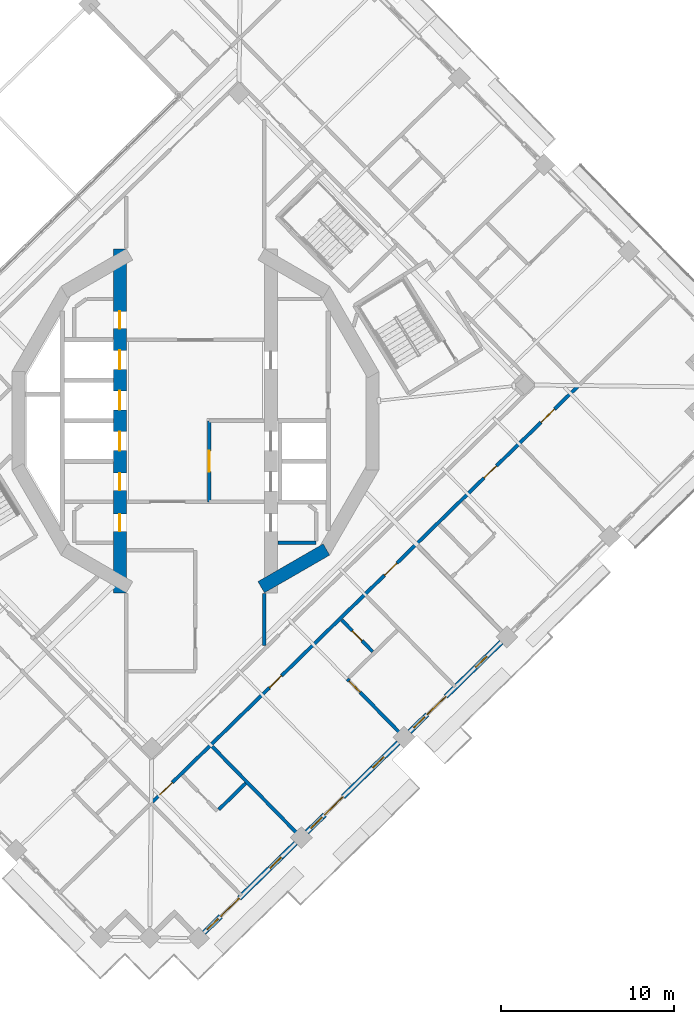
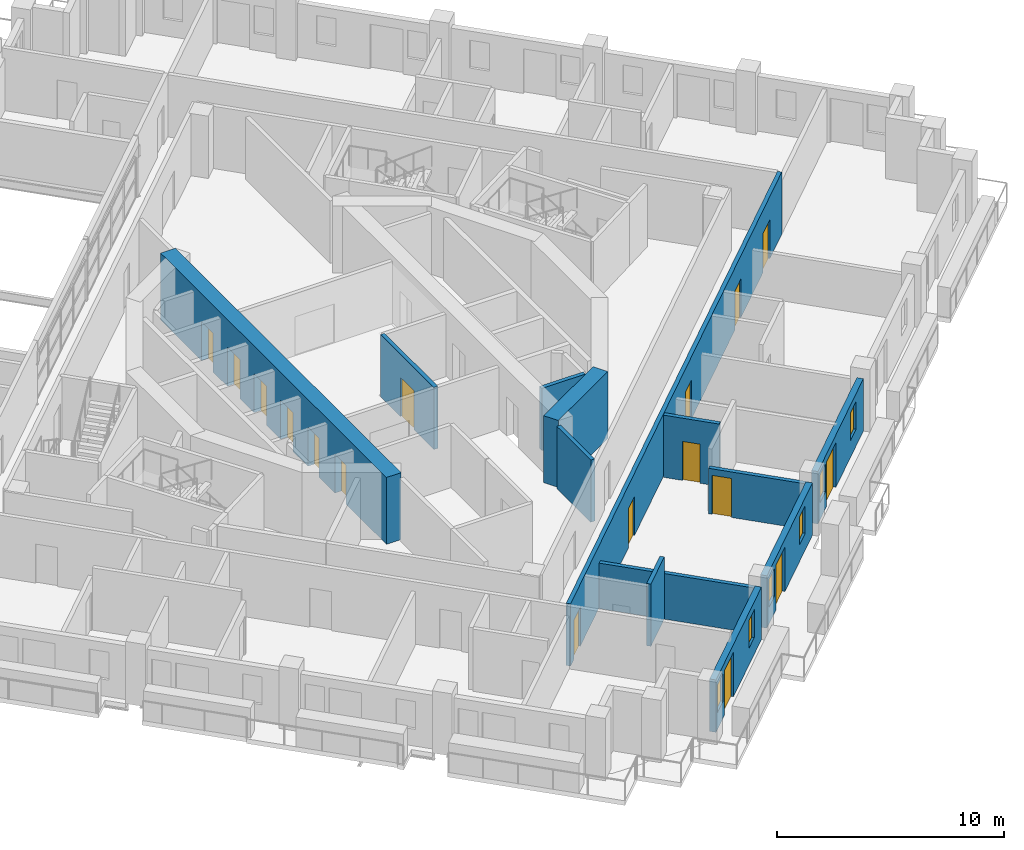
# One storey, part 7 of 18: 17 doors, 13 walls, 6 windows, 23 openings.
"""IFC4 building model written with IfcOpenShell, lengths in metres."""

from ifc_helpers import new_model, si_unit, direction, frame, frame_2d, origin, place, context, subcontext, project, spatial, rectangle, extrude, material, layer, layer_set, type_object, element, fill, save


model = new_model("IFC4")

# Units and contexts
model_context = context("Model", 3, precision=1e-05, world=origin(), true_north=direction((0.0, 1.0)))
body_context = subcontext(model_context, "Body", "Model", "MODEL_VIEW")
ifc_project = project(units=[si_unit("LENGTHUNIT", "METRE"), si_unit("AREAUNIT", "SQUARE_METRE"), si_unit("VOLUMEUNIT", "CUBIC_METRE"), si_unit("PLANEANGLEUNIT", "RADIAN"), si_unit("MASSUNIT", "GRAM", prefix="KILO")], contexts=[model_context])

# Site, building, storey
site_placement = place(None, origin())
site = spatial("IfcSite", under=ifc_project, at=site_placement, CompositionType="ELEMENT")
building_placement = place(site_placement, origin())
building = spatial("IfcBuilding", under=site, at=building_placement, Name="Cantera Rosa Tower", CompositionType="ELEMENT")
storey_placement = place(building_placement, frame((0.0, 0.0, 219.800048828125)))
storey = spatial("IfcBuildingStorey", under=building, at=storey_placement, Name="L47", CompositionType="ELEMENT", Elevation=219.800048828125)

# Wall, openings, doors
ifc_material_1 = material(Name="Gypsum board partition")
ifc_layer_1 = layer(ifc_material_1, 0.199951171875)
ifc_layer_set_1 = layer_set([ifc_layer_1], Name="CORRIDOR WALL 200 H3350")
wall_type_1 = type_object("IfcWallType", Name="CORRIDOR WALL 200 H3350", PredefinedType="PARTITIONING", material=ifc_layer_set_1)
wall_1_placement = place(storey_placement, frame((-2.469970703125, -22.0556640625, 0.0), z_axis=(0.0, 0.0, 1.0), x_axis=(0.715286619748, 0.698831203946, 0.0)))
wall_1 = element("IfcWall", 1, at=wall_1_placement, inside=storey, type_object=wall_type_1, Name="CORRIDOR WALL L47-058", PredefinedType="PARTITIONING", context=body_context, shape_type="SweptSolid", body=[
    extrude(rectangle(XDim=34.47998046875, YDim=0.199951171875, at=frame_2d((17.239990234375, 0.0))), origin(), (0.0, 0.0, 1.0), 3.349853515625),
])
opening_1_placement = place(wall_1_placement, frame((26.824951171875, 0.0, 0.0)))
opening_1 = element("IfcOpeningElement", 2, at=opening_1_placement, cuts=wall_1, Name="Opening L47-046", PredefinedType="OPENING", context=body_context, shape_type="SweptSolid", body=[
    extrude(rectangle(XDim=1.0, YDim=2.10009765625, at=frame_2d((0.5, 1.050048828125))), frame((0.0, 0.10986328125, 0.0), z_axis=(0.0, -1.0, 0.0), x_axis=(1.0, 0.0, 0.0)), (0.0, 0.0, 1.0), 0.219970703125),
])
opening_2_placement = place(wall_1_placement, frame((9.43994140625, 0.0, 0.0)))
opening_2 = element("IfcOpeningElement", 3, at=opening_2_placement, cuts=wall_1, Name="Opening L47-049", PredefinedType="OPENING", context=body_context, shape_type="SweptSolid", body=[
    extrude(rectangle(XDim=1.0, YDim=2.10009765625, at=frame_2d((0.5, 1.050048828125))), frame((0.0, 0.10986328125, 0.0), z_axis=(0.0, -1.0, 0.0), x_axis=(1.0, 0.0, 0.0)), (0.0, 0.0, 1.0), 0.219970703125),
])
opening_3_placement = place(wall_1_placement, frame((18.760009765625, 0.0, 0.0)))
opening_3 = element("IfcOpeningElement", 4, at=opening_3_placement, cuts=wall_1, Name="Opening L47-052", PredefinedType="OPENING", context=body_context, shape_type="SweptSolid", body=[
    extrude(rectangle(XDim=1.0, YDim=2.10009765625, at=frame_2d((0.5, 1.050048828125))), frame((0.0, 0.10986328125, 0.0), z_axis=(0.0, -1.0, 0.0), x_axis=(1.0, 0.0, 0.0)), (0.0, 0.0, 1.0), 0.219970703125),
])
opening_4_placement = place(wall_1_placement, frame((0.590087890625, 0.0, 0.0)))
opening_4 = element("IfcOpeningElement", 5, at=opening_4_placement, cuts=wall_1, Name="Opening L47-053", PredefinedType="OPENING", context=body_context, shape_type="SweptSolid", body=[
    extrude(rectangle(XDim=1.0, YDim=2.10009765625, at=frame_2d((0.5, 1.050048828125))), frame((0.0, 0.10986328125, 0.0), z_axis=(0.0, -1.0, 0.0), x_axis=(1.0, 0.0, 0.0)), (0.0, 0.0, 1.0), 0.219970703125),
])
opening_5_placement = place(wall_1_placement, frame((31.429931640625, 0.0, 0.0)))
opening_5 = element("IfcOpeningElement", 6, at=opening_5_placement, cuts=wall_1, Name="Opening L47-056", PredefinedType="OPENING", context=body_context, shape_type="SweptSolid", body=[
    extrude(rectangle(XDim=1.10009765625, YDim=2.10009765625, at=frame_2d((0.550048828125, 1.050048828125))), frame((0.0, 0.10986328125, 0.0), z_axis=(0.0, -1.0, 0.0), x_axis=(1.0, 0.0, 0.0)), (0.0, 0.0, 1.0), 0.219970703125),
])
ifc_material_2 = material(Name="Timber door leaf", Category="wood")
door_type_1 = type_object("IfcDoorType", Name="ENTRANCE DOOR 1000x2100", OperationType="NOTDEFINED", PredefinedType="DOOR", material=ifc_material_2)
door_1_placement = place(opening_1_placement, origin())
door_1 = element("IfcDoor", 7, at=door_1_placement, inside=storey, type_object=door_type_1, Name="DOOR L47-046", OperationType="NOTDEFINED", OverallHeight=2.10009765625, OverallWidth=1.0, PredefinedType="DOOR", context=body_context, shape_type="SweptSolid", body=[
    extrude(rectangle(XDim=1.0, YDim=2.10009765625, at=frame_2d((0.5, 1.050048828125))), frame((0.0, 0.02490234375, 0.0), z_axis=(0.0, -1.0, 0.0), x_axis=(1.0, 0.0, 0.0)), (0.0, 0.0, 1.0), 0.050048828125),
])
fill(opening_1, door_1)
door_2_placement = place(opening_2_placement, origin())
door_2 = element("IfcDoor", 8, at=door_2_placement, inside=storey, type_object=door_type_1, Name="DOOR L47-049", OperationType="NOTDEFINED", OverallHeight=2.10009765625, OverallWidth=1.0, PredefinedType="DOOR", context=body_context, shape_type="SweptSolid", body=[
    extrude(rectangle(XDim=1.0, YDim=2.10009765625, at=frame_2d((0.5, 1.050048828125))), frame((0.0, 0.02490234375, 0.0), z_axis=(0.0, -1.0, 0.0), x_axis=(1.0, 0.0, 0.0)), (0.0, 0.0, 1.0), 0.050048828125),
])
fill(opening_2, door_2)
door_3_placement = place(opening_4_placement, origin())
door_3 = element("IfcDoor", 9, at=door_3_placement, inside=storey, type_object=door_type_1, Name="DOOR L47-053", OperationType="NOTDEFINED", OverallHeight=2.10009765625, OverallWidth=1.0, PredefinedType="DOOR", context=body_context, shape_type="SweptSolid", body=[
    extrude(rectangle(XDim=1.0, YDim=2.10009765625, at=frame_2d((0.5, 1.050048828125))), frame((0.0, 0.02490234375, 0.0), z_axis=(0.0, -1.0, 0.0), x_axis=(1.0, 0.0, 0.0)), (0.0, 0.0, 1.0), 0.050048828125),
])
fill(opening_4, door_3)
ifc_material_3 = material(Name="Timber door leaf", Category="wood")
door_type_2 = type_object("IfcDoorType", Name="ROOM DOOR 1000x2100", OperationType="NOTDEFINED", PredefinedType="DOOR", material=ifc_material_3)
door_4_placement = place(opening_3_placement, origin())
door_4 = element("IfcDoor", 10, at=door_4_placement, inside=storey, type_object=door_type_2, Name="DOOR L47-052", OperationType="NOTDEFINED", OverallHeight=2.10009765625, OverallWidth=1.0, PredefinedType="DOOR", context=body_context, shape_type="SweptSolid", body=[
    extrude(rectangle(XDim=1.0, YDim=2.10009765625, at=frame_2d((0.5, 1.050048828125))), frame((0.0, 0.02490234375, 0.0), z_axis=(0.0, -1.0, 0.0), x_axis=(1.0, 0.0, 0.0)), (0.0, 0.0, 1.0), 0.050048828125),
])
fill(opening_3, door_4)
ifc_material_4 = material(Name="Timber door leaf", Category="wood")
door_type_3 = type_object("IfcDoorType", Name="ROOM DOOR 1100x2100", OperationType="NOTDEFINED", PredefinedType="DOOR", material=ifc_material_4)
door_5_placement = place(opening_5_placement, origin())
door_5 = element("IfcDoor", 11, at=door_5_placement, inside=storey, type_object=door_type_3, Name="DOOR L47-056", OperationType="NOTDEFINED", OverallHeight=2.10009765625, OverallWidth=1.10009765625, PredefinedType="DOOR", context=body_context, shape_type="SweptSolid", body=[
    extrude(rectangle(XDim=1.10009765625, YDim=2.10009765625, at=frame_2d((0.550048828125, 1.050048828125))), frame((0.0, 0.02490234375, 0.0), z_axis=(0.0, -1.0, 0.0), x_axis=(1.0, 0.0, 0.0)), (0.0, 0.0, 1.0), 0.050048828125),
])
fill(opening_5, door_5)

# Wall
wall_2_placement = place(storey_placement, frame((4.0, -12.998046875, 0.0), z_axis=(0.0, 0.0, 1.0), x_axis=(0.0, 1.0, 0.0)))
element("IfcWall", 12, at=wall_2_placement, inside=storey, type_object=wall_type_1, Name="CORRIDOR WALL L47-077", PredefinedType="PARTITIONING", context=body_context, shape_type="SweptSolid", body=[
    extrude(rectangle(XDim=3.00390625, YDim=0.199951171875, at=frame_2d((1.501953125, 0.0))), origin(), (0.0, 0.0, 1.0), 3.349853515625),
])

# Wall, openings, windows, door
ifc_material_5 = material(Name="Hollow clay masonry with cantera stone cladding", Category="masonry")
ifc_layer_2 = layer(ifc_material_5, 0.300048828125)
ifc_layer_set_2 = layer_set([ifc_layer_2], Name="EW-LOGGIA 300 H2820")
wall_type_2 = type_object("IfcWallType", Name="EW-LOGGIA 300 H2820", PredefinedType="SOLIDWALL", material=ifc_layer_set_2)
wall_3_placement = place(storey_placement, frame((0.503662109375, -29.6357421875, 0.0), z_axis=(0.0, 0.0, 1.0), x_axis=(0.715284379566, 0.698833496871, 0.0)))
wall_3 = element("IfcWall", 13, at=wall_3_placement, inside=storey, type_object=wall_type_2, Name="EN-L47-W21", PredefinedType="SOLIDWALL", context=body_context, shape_type="SweptSolid", body=[
    extrude(rectangle(XDim=7.42041015625, YDim=0.300048828125, at=frame_2d((3.710205078125, 0.0))), origin(), (0.0, 0.0, 1.0), 2.820068359375),
])
opening_6_placement = place(wall_3_placement, frame((0.25, 0.0, 0.89990234375)))
opening_6 = element("IfcOpeningElement", 14, at=opening_6_placement, cuts=wall_3, Name="Opening L47-W37", PredefinedType="OPENING", context=body_context, shape_type="SweptSolid", body=[
    extrude(rectangle(XDim=0.89990234375, YDim=1.5, at=frame_2d((0.449951171875, 0.75))), frame((0.0, 0.159912109375, 0.0), z_axis=(0.0, -1.0, 0.0), x_axis=(1.0, 0.0, 0.0)), (0.0, 0.0, 1.0), 0.320068359375),
])
opening_7_placement = place(wall_3_placement, frame((1.35009765625, 0.0, 0.0)))
opening_7 = element("IfcOpeningElement", 15, at=opening_7_placement, cuts=wall_3, Name="Opening L47-TD38", PredefinedType="OPENING", context=body_context, shape_type="SweptSolid", body=[
    extrude(rectangle(XDim=1.5, YDim=2.39990234375, at=frame_2d((0.75, 1.199951171875))), frame((0.0, 0.159912109375, 0.0), z_axis=(0.0, -1.0, 0.0), x_axis=(1.0, 0.0, 0.0)), (0.0, 0.0, 1.0), 0.320068359375),
])
opening_8_placement = place(wall_3_placement, frame((5.340087890625, 0.0, 0.89990234375)))
opening_8 = element("IfcOpeningElement", 16, at=opening_8_placement, cuts=wall_3, Name="Opening L47-W39", PredefinedType="OPENING", context=body_context, shape_type="SweptSolid", body=[
    extrude(rectangle(XDim=0.89990234375, YDim=1.5, at=frame_2d((0.449951171875, 0.75))), frame((0.0, 0.159912109375, 0.0), z_axis=(0.0, -1.0, 0.0), x_axis=(1.0, 0.0, 0.0)), (0.0, 0.0, 1.0), 0.320068359375),
])
ifc_material_6 = material(Name="Aluminium frame with clear glass", Category="aluminium")
window_type = type_object("IfcWindowType", Name="Residential window 900x1500", PartitioningType="SINGLE_PANEL", PredefinedType="WINDOW", material=ifc_material_6)
window_1_placement = place(opening_6_placement, origin())
window_1 = element("IfcWindow", 17, at=window_1_placement, inside=storey, type_object=window_type, Name="WINDOW L47-W37", OverallHeight=1.5, OverallWidth=0.89990234375, PartitioningType="SINGLE_PANEL", PredefinedType="WINDOW", context=body_context, shape_type="SweptSolid", body=[
    extrude(rectangle(XDim=0.89990234375, YDim=1.5, at=frame_2d((0.449951171875, 0.75))), frame((0.0, 0.030029296875, 0.0), z_axis=(0.0, -1.0, 0.0), x_axis=(1.0, 0.0, 0.0)), (0.0, 0.0, 1.0), 0.06005859375),
])
fill(opening_6, window_1)
window_2_placement = place(opening_8_placement, origin())
window_2 = element("IfcWindow", 18, at=window_2_placement, inside=storey, type_object=window_type, Name="WINDOW L47-W39", OverallHeight=1.5, OverallWidth=0.89990234375, PartitioningType="SINGLE_PANEL", PredefinedType="WINDOW", context=body_context, shape_type="SweptSolid", body=[
    extrude(rectangle(XDim=0.89990234375, YDim=1.5, at=frame_2d((0.449951171875, 0.75))), frame((0.0, 0.030029296875, 0.0), z_axis=(0.0, -1.0, 0.0), x_axis=(1.0, 0.0, 0.0)), (0.0, 0.0, 1.0), 0.06005859375),
])
fill(opening_8, window_2)
ifc_material_7 = material(Name="Aluminium frame with clear glass", Category="aluminium")
door_type_4 = type_object("IfcDoorType", Name="TD-R 1500x2400", OperationType="NOTDEFINED", PredefinedType="DOOR", material=ifc_material_7)
door_6_placement = place(opening_7_placement, origin())
door_6 = element("IfcDoor", 19, at=door_6_placement, inside=storey, type_object=door_type_4, Name="LOGGIA DOOR L47-TD38", OperationType="SLIDING_TO_LEFT", OverallHeight=2.39990234375, OverallWidth=1.5, PredefinedType="DOOR", context=body_context, shape_type="SweptSolid", body=[
    extrude(rectangle(XDim=1.5, YDim=2.39990234375, at=frame_2d((0.75, 1.199951171875))), frame((0.0, 0.02490234375, 0.0), z_axis=(0.0, -1.0, 0.0), x_axis=(1.0, 0.0, 0.0)), (0.0, 0.0, 1.0), 0.050048828125),
])
fill(opening_7, door_6)

wall_4_placement = place(storey_placement, frame((6.454833984375, -23.8212890625, 0.0), z_axis=(0.0, 0.0, 1.0), x_axis=(0.715300826176, 0.698816662703, 0.0)))
wall_4 = element("IfcWall", 20, at=wall_4_placement, inside=storey, type_object=wall_type_2, Name="EN-L47-W22", PredefinedType="SOLIDWALL", context=body_context, shape_type="SweptSolid", body=[
    extrude(rectangle(XDim=7.420166015625, YDim=0.300048828125, at=frame_2d((3.7099609375, 0.0))), origin(), (0.0, 0.0, 1.0), 2.820068359375),
])
opening_9_placement = place(wall_4_placement, frame((0.330078125, 0.0, 0.89990234375)))
opening_9 = element("IfcOpeningElement", 21, at=opening_9_placement, cuts=wall_4, Name="Opening L47-W40", PredefinedType="OPENING", context=body_context, shape_type="SweptSolid", body=[
    extrude(rectangle(XDim=0.89990234375, YDim=1.5, at=frame_2d((0.449951171875, 0.75))), frame((0.0, 0.159912109375, 0.0), z_axis=(0.0, -1.0, 0.0), x_axis=(1.0, 0.0, 0.0)), (0.0, 0.0, 1.0), 0.320068359375),
])
opening_10_placement = place(wall_4_placement, frame((1.429931640625, 0.0, 0.0)))
opening_10 = element("IfcOpeningElement", 22, at=opening_10_placement, cuts=wall_4, Name="Opening L47-TD41", PredefinedType="OPENING", context=body_context, shape_type="SweptSolid", body=[
    extrude(rectangle(XDim=1.5, YDim=2.39990234375, at=frame_2d((0.75, 1.199951171875))), frame((0.0, 0.159912109375, 0.0), z_axis=(0.0, -1.0, 0.0), x_axis=(1.0, 0.0, 0.0)), (0.0, 0.0, 1.0), 0.320068359375),
])
opening_11_placement = place(wall_4_placement, frame((5.340087890625, 0.0, 0.89990234375)))
opening_11 = element("IfcOpeningElement", 23, at=opening_11_placement, cuts=wall_4, Name="Opening L47-W42", PredefinedType="OPENING", context=body_context, shape_type="SweptSolid", body=[
    extrude(rectangle(XDim=0.89990234375, YDim=1.5, at=frame_2d((0.449951171875, 0.75))), frame((0.0, 0.159912109375, 0.0), z_axis=(0.0, -1.0, 0.0), x_axis=(1.0, 0.0, 0.0)), (0.0, 0.0, 1.0), 0.320068359375),
])
window_3_placement = place(opening_9_placement, origin())
window_3 = element("IfcWindow", 24, at=window_3_placement, inside=storey, type_object=window_type, Name="WINDOW L47-W40", OverallHeight=1.5, OverallWidth=0.89990234375, PartitioningType="SINGLE_PANEL", PredefinedType="WINDOW", context=body_context, shape_type="SweptSolid", body=[
    extrude(rectangle(XDim=0.89990234375, YDim=1.5, at=frame_2d((0.449951171875, 0.75))), frame((0.0, 0.030029296875, 0.0), z_axis=(0.0, -1.0, 0.0), x_axis=(1.0, 0.0, 0.0)), (0.0, 0.0, 1.0), 0.06005859375),
])
fill(opening_9, window_3)
window_4_placement = place(opening_11_placement, origin())
window_4 = element("IfcWindow", 25, at=window_4_placement, inside=storey, type_object=window_type, Name="WINDOW L47-W42", OverallHeight=1.5, OverallWidth=0.89990234375, PartitioningType="SINGLE_PANEL", PredefinedType="WINDOW", context=body_context, shape_type="SweptSolid", body=[
    extrude(rectangle(XDim=0.89990234375, YDim=1.5, at=frame_2d((0.449951171875, 0.75))), frame((0.0, 0.030029296875, 0.0), z_axis=(0.0, -1.0, 0.0), x_axis=(1.0, 0.0, 0.0)), (0.0, 0.0, 1.0), 0.06005859375),
])
fill(opening_11, window_4)
door_7_placement = place(opening_10_placement, origin())
door_7 = element("IfcDoor", 26, at=door_7_placement, inside=storey, type_object=door_type_4, Name="LOGGIA DOOR L47-TD41", OperationType="SLIDING_TO_LEFT", OverallHeight=2.39990234375, OverallWidth=1.5, PredefinedType="DOOR", context=body_context, shape_type="SweptSolid", body=[
    extrude(rectangle(XDim=1.5, YDim=2.39990234375, at=frame_2d((0.75, 1.199951171875))), frame((0.0, 0.02490234375, 0.0), z_axis=(0.0, -1.0, 0.0), x_axis=(1.0, 0.0, 0.0)), (0.0, 0.0, 1.0), 0.050048828125),
])
fill(opening_10, door_7)

wall_5_placement = place(storey_placement, frame((12.406005859375, -18.007080078125, 0.0), z_axis=(0.0, 0.0, 1.0), x_axis=(0.715300826176, 0.698816662703, 0.0)))
wall_5 = element("IfcWall", 27, at=wall_5_placement, inside=storey, type_object=wall_type_2, Name="EN-L47-W23", PredefinedType="SOLIDWALL", context=body_context, shape_type="SweptSolid", body=[
    extrude(rectangle(XDim=7.420166015625, YDim=0.300048828125, at=frame_2d((3.7099609375, 0.0))), origin(), (0.0, 0.0, 1.0), 2.820068359375),
])
opening_12_placement = place(wall_5_placement, frame((0.330078125, 0.0, 0.89990234375)))
opening_12 = element("IfcOpeningElement", 28, at=opening_12_placement, cuts=wall_5, Name="Opening L47-W43", PredefinedType="OPENING", context=body_context, shape_type="SweptSolid", body=[
    extrude(rectangle(XDim=0.89990234375, YDim=1.5, at=frame_2d((0.449951171875, 0.75))), frame((0.0, 0.159912109375, 0.0), z_axis=(0.0, -1.0, 0.0), x_axis=(1.0, 0.0, 0.0)), (0.0, 0.0, 1.0), 0.320068359375),
])
opening_13_placement = place(wall_5_placement, frame((1.429931640625, 0.0, 0.0)))
opening_13 = element("IfcOpeningElement", 29, at=opening_13_placement, cuts=wall_5, Name="Opening L47-TD44", PredefinedType="OPENING", context=body_context, shape_type="SweptSolid", body=[
    extrude(rectangle(XDim=1.5, YDim=2.39990234375, at=frame_2d((0.75, 1.199951171875))), frame((0.0, 0.159912109375, 0.0), z_axis=(0.0, -1.0, 0.0), x_axis=(1.0, 0.0, 0.0)), (0.0, 0.0, 1.0), 0.320068359375),
])
opening_14_placement = place(wall_5_placement, frame((5.340087890625, 0.0, 0.89990234375)))
opening_14 = element("IfcOpeningElement", 30, at=opening_14_placement, cuts=wall_5, Name="Opening L47-W45", PredefinedType="OPENING", context=body_context, shape_type="SweptSolid", body=[
    extrude(rectangle(XDim=0.89990234375, YDim=1.5, at=frame_2d((0.449951171875, 0.75))), frame((0.0, 0.159912109375, 0.0), z_axis=(0.0, -1.0, 0.0), x_axis=(1.0, 0.0, 0.0)), (0.0, 0.0, 1.0), 0.320068359375),
])
window_5_placement = place(opening_12_placement, origin())
window_5 = element("IfcWindow", 31, at=window_5_placement, inside=storey, type_object=window_type, Name="WINDOW L47-W43", OverallHeight=1.5, OverallWidth=0.89990234375, PartitioningType="SINGLE_PANEL", PredefinedType="WINDOW", context=body_context, shape_type="SweptSolid", body=[
    extrude(rectangle(XDim=0.89990234375, YDim=1.5, at=frame_2d((0.449951171875, 0.75))), frame((0.0, 0.030029296875, 0.0), z_axis=(0.0, -1.0, 0.0), x_axis=(1.0, 0.0, 0.0)), (0.0, 0.0, 1.0), 0.06005859375),
])
fill(opening_12, window_5)
window_6_placement = place(opening_14_placement, origin())
window_6 = element("IfcWindow", 32, at=window_6_placement, inside=storey, type_object=window_type, Name="WINDOW L47-W45", OverallHeight=1.5, OverallWidth=0.89990234375, PartitioningType="SINGLE_PANEL", PredefinedType="WINDOW", context=body_context, shape_type="SweptSolid", body=[
    extrude(rectangle(XDim=0.89990234375, YDim=1.5, at=frame_2d((0.449951171875, 0.75))), frame((0.0, 0.030029296875, 0.0), z_axis=(0.0, -1.0, 0.0), x_axis=(1.0, 0.0, 0.0)), (0.0, 0.0, 1.0), 0.06005859375),
])
fill(opening_14, window_6)
door_8_placement = place(opening_13_placement, origin())
door_8 = element("IfcDoor", 33, at=door_8_placement, inside=storey, type_object=door_type_4, Name="LOGGIA DOOR L47-TD44", OperationType="SLIDING_TO_LEFT", OverallHeight=2.39990234375, OverallWidth=1.5, PredefinedType="DOOR", context=body_context, shape_type="SweptSolid", body=[
    extrude(rectangle(XDim=1.5, YDim=2.39990234375, at=frame_2d((0.75, 1.199951171875))), frame((0.0, 0.02490234375, 0.0), z_axis=(0.0, -1.0, 0.0), x_axis=(1.0, 0.0, 0.0)), (0.0, 0.0, 1.0), 0.050048828125),
])
fill(opening_13, door_8)

# Wall, opening, door
ifc_material_8 = material(Name="Gypsum board partition")
ifc_layer_3 = layer(ifc_material_8, 0.199951171875)
ifc_layer_set_3 = layer_set([ifc_layer_3], Name="PARTITION 200 H2450")
wall_type_3 = type_object("IfcWallType", Name="PARTITION 200 H2450", PredefinedType="PARTITIONING", material=ifc_layer_set_3)
wall_6_placement = place(storey_placement, frame((12.063232421875, -18.300048828125, 0.0), z_axis=(0.0, 0.0, 1.0), x_axis=(-0.698824761261, 0.71529291416, 0.0)))
wall_6 = element("IfcWall", 34, at=wall_6_placement, inside=storey, type_object=wall_type_3, Name="PARTITION L47-104", PredefinedType="PARTITIONING", context=body_context, shape_type="SweptSolid", body=[
    extrude(rectangle(XDim=4.669921875, YDim=0.199951171875, at=frame_2d((2.3349609375, 0.0))), origin(), (0.0, 0.0, 1.0), 2.449951171875),
])
opening_15_placement = place(wall_6_placement, frame((3.6201171875, 0.0, 0.0)))
opening_15 = element("IfcOpeningElement", 35, at=opening_15_placement, cuts=wall_6, Name="Opening L47-051", PredefinedType="OPENING", context=body_context, shape_type="SweptSolid", body=[
    extrude(rectangle(XDim=0.89990234375, YDim=2.10009765625, at=frame_2d((0.449951171875, 1.050048828125))), frame((0.0, 0.10986328125, 0.0), z_axis=(0.0, -1.0, 0.0), x_axis=(1.0, 0.0, 0.0)), (0.0, 0.0, 1.0), 0.219970703125),
])
ifc_material_9 = material(Name="Timber door leaf", Category="wood")
door_type_5 = type_object("IfcDoorType", Name="ROOM DOOR 900x2100", OperationType="NOTDEFINED", PredefinedType="DOOR", material=ifc_material_9)
door_9_placement = place(opening_15_placement, origin())
door_9 = element("IfcDoor", 36, at=door_9_placement, inside=storey, type_object=door_type_5, Name="DOOR L47-051", OperationType="NOTDEFINED", OverallHeight=2.10009765625, OverallWidth=0.89990234375, PredefinedType="DOOR", context=body_context, shape_type="SweptSolid", body=[
    extrude(rectangle(XDim=0.89990234375, YDim=2.10009765625, at=frame_2d((0.449951171875, 1.050048828125))), frame((0.0, 0.02490234375, 0.0), z_axis=(0.0, -1.0, 0.0), x_axis=(1.0, 0.0, 0.0)), (0.0, 0.0, 1.0), 0.050048828125),
])
fill(opening_15, door_9)

# Walls
ifc_material_10 = material(Name="Gypsum board partition")
ifc_layer_4 = layer(ifc_material_10, 0.199951171875)
ifc_layer_set_4 = layer_set([ifc_layer_4], Name="PARTITION 200 H3350")
wall_type_4 = type_object("IfcWallType", Name="PARTITION 200 H3350", PredefinedType="PARTITIONING", material=ifc_layer_set_4)
wall_7_placement = place(storey_placement, frame((2.916748046875, -20.98681640625, 0.0), z_axis=(0.0, 0.0, 1.0), x_axis=(-0.715234272025, -0.69888478029, 0.0)))
element("IfcWall", 37, at=wall_7_placement, inside=storey, type_object=wall_type_4, Name="PARTITION L47-075", PredefinedType="PARTITIONING", context=body_context, shape_type="SweptSolid", body=[
    extrude(rectangle(XDim=2.18017578125, YDim=0.199951171875, at=frame_2d((1.090087890625, 0.0))), origin(), (0.0, 0.0, 1.0), 3.349853515625),
])
wall_8_placement = place(storey_placement, frame((7.0, -7.050048828125, 0.0), z_axis=(0.0, 0.0, 1.0), x_axis=(-1.0, 0.0, 0.0)))
element("IfcWall", 38, at=wall_8_placement, inside=storey, type_object=wall_type_4, Name="PARTITION L47-086", PredefinedType="PARTITIONING", context=body_context, shape_type="SweptSolid", body=[
    extrude(rectangle(XDim=2.219970703125, YDim=0.199951171875, at=frame_2d((1.10986328125, 0.0))), origin(), (0.0, 0.0, 1.0), 3.349853515625),
])

# Wall, opening, door
wall_9_placement = place(storey_placement, frame((10.260986328125, -13.364501953125, 0.0), z_axis=(0.0, 0.0, 1.0), x_axis=(-0.698809886965, 0.715307445705, 0.0)))
wall_9 = element("IfcWall", 39, at=wall_9_placement, inside=storey, type_object=wall_type_4, Name="PARTITION L47-097", PredefinedType="PARTITIONING", context=body_context, shape_type="SweptSolid", body=[
    extrude(rectangle(XDim=2.56005859375, YDim=0.199951171875, at=frame_2d((1.280029296875, 0.0))), origin(), (0.0, 0.0, 1.0), 3.349853515625),
])
opening_16_placement = place(wall_9_placement, frame((0.8798828125, 0.0, 0.0)))
opening_16 = element("IfcOpeningElement", 40, at=opening_16_placement, cuts=wall_9, Name="Opening L47-050", PredefinedType="OPENING", context=body_context, shape_type="SweptSolid", body=[
    extrude(rectangle(XDim=0.800048828125, YDim=2.10009765625, at=frame_2d((0.39990234375, 1.050048828125))), frame((0.0, 0.10986328125, 0.0), z_axis=(0.0, -1.0, 0.0), x_axis=(1.0, 0.0, 0.0)), (0.0, 0.0, 1.0), 0.219970703125),
])
ifc_material_11 = material(Name="Timber door leaf", Category="wood")
door_type_6 = type_object("IfcDoorType", Name="BATHROOM DOOR 800x2100", OperationType="NOTDEFINED", PredefinedType="DOOR", material=ifc_material_11)
door_10_placement = place(opening_16_placement, origin())
door_10 = element("IfcDoor", 41, at=door_10_placement, inside=storey, type_object=door_type_6, Name="DOOR L47-050", OperationType="NOTDEFINED", OverallHeight=2.10009765625, OverallWidth=0.800048828125, PredefinedType="DOOR", context=body_context, shape_type="SweptSolid", body=[
    extrude(rectangle(XDim=0.800048828125, YDim=2.10009765625, at=frame_2d((0.39990234375, 1.050048828125))), frame((0.0, 0.02490234375, 0.0), z_axis=(0.0, -1.0, 0.0), x_axis=(1.0, 0.0, 0.0)), (0.0, 0.0, 1.0), 0.050048828125),
])
fill(opening_16, door_10)

# Wall
ifc_material_12 = material(Name="Gypsum board partition")
ifc_layer_5 = layer(ifc_material_12, 0.199951171875)
ifc_layer_set_5 = layer_set([ifc_layer_5], Name="PARTY WALL 200 H2450")
wall_type_5 = type_object("IfcWallType", Name="PARTY WALL 200 H2450", PredefinedType="PARTITIONING", material=ifc_layer_set_5)
wall_10_placement = place(storey_placement, frame((6.112060546875, -24.114501953125, 0.0), z_axis=(0.0, 0.0, 1.0), x_axis=(-0.698821349183, 0.715296247667, 0.0)))
element("IfcWall", 42, at=wall_10_placement, inside=storey, type_object=wall_type_5, Name="PARTY WALL L47-083", PredefinedType="PARTITIONING", context=body_context, shape_type="SweptSolid", body=[
    extrude(rectangle(XDim=7.35009765625, YDim=0.199951171875, at=frame_2d((3.675048828125, 0.0))), origin(), (0.0, 0.0, 1.0), 2.449951171875),
])

# Wall, openings, doors
ifc_material_13 = material(Name="Concrete C60/75", Category="concrete")
ifc_layer_6 = layer(ifc_material_13, 0.75)
ifc_layer_set_6 = layer_set([ifc_layer_6], Name="RC CORE WALL 750 C60/75")
wall_type_6 = type_object("IfcWallType", Name="RC CORE WALL 750 C60/75", PredefinedType="SHEAR", material=ifc_layer_set_6)
wall_11_placement = place(storey_placement, frame((-4.375, 9.95947265625, 0.0), z_axis=(0.0, 0.0, 1.0), x_axis=(0.0, -1.0, 0.0)))
wall_11 = element("IfcWall", 43, at=wall_11_placement, inside=storey, type_object=wall_type_6, Name="CW-W6 L47", PredefinedType="SHEAR", context=body_context, shape_type="SweptSolid", body=[
    extrude(rectangle(XDim=19.9189453125, YDim=0.75, at=frame_2d((9.95947265625, 0.0))), origin(), (0.0, 0.0, 1.0), 3.599853515625),
])
opening_17_placement = place(wall_11_placement, frame((10.58447265625, 0.0, 0.0)))
opening_17 = element("IfcOpeningElement", 44, at=opening_17_placement, cuts=wall_11, Name="Opening LD-H1-L47", PredefinedType="OPENING", context=body_context, shape_type="SweptSolid", body=[
    extrude(rectangle(XDim=1.10009765625, YDim=2.10009765625, at=frame_2d((0.550048828125, 1.050048828125))), frame((0.0, 0.385009765625, 0.0), z_axis=(0.0, -1.0, 0.0), x_axis=(1.0, 0.0, 0.0)), (0.0, 0.0, 1.0), 0.77001953125),
])
opening_18_placement = place(wall_11_placement, frame((8.234619140625, 0.0, 0.0)))
opening_18 = element("IfcOpeningElement", 45, at=opening_18_placement, cuts=wall_11, Name="Opening LD-H2-L47", PredefinedType="OPENING", context=body_context, shape_type="SweptSolid", body=[
    extrude(rectangle(XDim=1.10009765625, YDim=2.10009765625, at=frame_2d((0.550048828125, 1.050048828125))), frame((0.0, 0.385009765625, 0.0), z_axis=(0.0, -1.0, 0.0), x_axis=(1.0, 0.0, 0.0)), (0.0, 0.0, 1.0), 0.77001953125),
])
opening_19_placement = place(wall_11_placement, frame((5.884521484375, 0.0, 0.0)))
opening_19 = element("IfcOpeningElement", 46, at=opening_19_placement, cuts=wall_11, Name="Opening LD-H3-L47", PredefinedType="OPENING", context=body_context, shape_type="SweptSolid", body=[
    extrude(rectangle(XDim=1.10009765625, YDim=2.10009765625, at=frame_2d((0.550048828125, 1.050048828125))), frame((0.0, 0.385009765625, 0.0), z_axis=(0.0, -1.0, 0.0), x_axis=(1.0, 0.0, 0.0)), (0.0, 0.0, 1.0), 0.77001953125),
])
opening_20_placement = place(wall_11_placement, frame((15.368408203125, 0.0, 0.0)))
opening_20 = element("IfcOpeningElement", 47, at=opening_20_placement, cuts=wall_11, Name="Opening SD-L47-18", PredefinedType="OPENING", context=body_context, shape_type="SweptSolid", body=[
    extrude(rectangle(XDim=1.0, YDim=2.10009765625, at=frame_2d((0.5, 1.050048828125))), frame((0.0, 0.385009765625, 0.0), z_axis=(0.0, -1.0, 0.0), x_axis=(1.0, 0.0, 0.0)), (0.0, 0.0, 1.0), 0.77001953125),
])
opening_21_placement = place(wall_11_placement, frame((3.618408203125, 0.0, 0.0)))
opening_21 = element("IfcOpeningElement", 48, at=opening_21_placement, cuts=wall_11, Name="Opening SD-L47-19", PredefinedType="OPENING", context=body_context, shape_type="SweptSolid", body=[
    extrude(rectangle(XDim=1.0, YDim=2.10009765625, at=frame_2d((0.5, 1.050048828125))), frame((0.0, 0.385009765625, 0.0), z_axis=(0.0, -1.0, 0.0), x_axis=(1.0, 0.0, 0.0)), (0.0, 0.0, 1.0), 0.77001953125),
])
opening_22_placement = place(wall_11_placement, frame((12.984619140625, 0.0, 0.0)))
opening_22 = element("IfcOpeningElement", 49, at=opening_22_placement, cuts=wall_11, Name="Opening SD-L47-20", PredefinedType="OPENING", context=body_context, shape_type="SweptSolid", body=[
    extrude(rectangle(XDim=1.0, YDim=2.10009765625, at=frame_2d((0.5, 1.050048828125))), frame((0.0, 0.385009765625, 0.0), z_axis=(0.0, -1.0, 0.0), x_axis=(1.0, 0.0, 0.0)), (0.0, 0.0, 1.0), 0.77001953125),
])
ifc_material_14 = material(Name="Steel S355J2 (EN 10025-2)", Category="steel")
door_type_7 = type_object("IfcDoorType", Name="LANDING DOOR 1100x2100", OperationType="NOTDEFINED", PredefinedType="DOOR", material=ifc_material_14)
door_11_placement = place(opening_17_placement, origin())
door_11 = element("IfcDoor", 50, at=door_11_placement, inside=storey, type_object=door_type_7, Name="LANDING DOOR H1 L47", OperationType="SLIDING_TO_LEFT", OverallHeight=2.10009765625, OverallWidth=1.10009765625, PredefinedType="DOOR", context=body_context, shape_type="SweptSolid", body=[
    extrude(rectangle(XDim=1.10009765625, YDim=2.10009765625, at=frame_2d((0.550048828125, 1.050048828125))), frame((0.0, 0.02490234375, 0.0), z_axis=(0.0, -1.0, 0.0), x_axis=(1.0, 0.0, 0.0)), (0.0, 0.0, 1.0), 0.050048828125),
])
fill(opening_17, door_11)
door_12_placement = place(opening_18_placement, origin())
door_12 = element("IfcDoor", 51, at=door_12_placement, inside=storey, type_object=door_type_7, Name="LANDING DOOR H2 L47", OperationType="SLIDING_TO_LEFT", OverallHeight=2.10009765625, OverallWidth=1.10009765625, PredefinedType="DOOR", context=body_context, shape_type="SweptSolid", body=[
    extrude(rectangle(XDim=1.10009765625, YDim=2.10009765625, at=frame_2d((0.550048828125, 1.050048828125))), frame((0.0, 0.02490234375, 0.0), z_axis=(0.0, -1.0, 0.0), x_axis=(1.0, 0.0, 0.0)), (0.0, 0.0, 1.0), 0.050048828125),
])
fill(opening_18, door_12)
door_13_placement = place(opening_19_placement, origin())
door_13 = element("IfcDoor", 52, at=door_13_placement, inside=storey, type_object=door_type_7, Name="LANDING DOOR H3 L47", OperationType="SLIDING_TO_LEFT", OverallHeight=2.10009765625, OverallWidth=1.10009765625, PredefinedType="DOOR", context=body_context, shape_type="SweptSolid", body=[
    extrude(rectangle(XDim=1.10009765625, YDim=2.10009765625, at=frame_2d((0.550048828125, 1.050048828125))), frame((0.0, 0.02490234375, 0.0), z_axis=(0.0, -1.0, 0.0), x_axis=(1.0, 0.0, 0.0)), (0.0, 0.0, 1.0), 0.050048828125),
])
fill(opening_19, door_13)
ifc_material_15 = material(Name="Timber door leaf", Category="wood")
door_type_8 = type_object("IfcDoorType", Name="SERVICE DOOR 1000x2100", OperationType="NOTDEFINED", PredefinedType="DOOR", material=ifc_material_15)
door_14_placement = place(opening_20_placement, origin())
door_14 = element("IfcDoor", 53, at=door_14_placement, inside=storey, type_object=door_type_8, Name="DOOR L47-SD18", OperationType="NOTDEFINED", OverallHeight=2.10009765625, OverallWidth=1.0, PredefinedType="DOOR", context=body_context, shape_type="SweptSolid", body=[
    extrude(rectangle(XDim=1.0, YDim=2.10009765625, at=frame_2d((0.5, 1.050048828125))), frame((0.0, 0.02490234375, 0.0), z_axis=(0.0, -1.0, 0.0), x_axis=(1.0, 0.0, 0.0)), (0.0, 0.0, 1.0), 0.050048828125),
])
fill(opening_20, door_14)
door_15_placement = place(opening_21_placement, origin())
door_15 = element("IfcDoor", 54, at=door_15_placement, inside=storey, type_object=door_type_8, Name="DOOR L47-SD19", OperationType="NOTDEFINED", OverallHeight=2.10009765625, OverallWidth=1.0, PredefinedType="DOOR", context=body_context, shape_type="SweptSolid", body=[
    extrude(rectangle(XDim=1.0, YDim=2.10009765625, at=frame_2d((0.5, 1.050048828125))), frame((0.0, 0.02490234375, 0.0), z_axis=(0.0, -1.0, 0.0), x_axis=(1.0, 0.0, 0.0)), (0.0, 0.0, 1.0), 0.050048828125),
])
fill(opening_21, door_15)
door_16_placement = place(opening_22_placement, origin())
door_16 = element("IfcDoor", 55, at=door_16_placement, inside=storey, type_object=door_type_8, Name="DOOR L47-SD20", OperationType="NOTDEFINED", OverallHeight=2.10009765625, OverallWidth=1.0, PredefinedType="DOOR", context=body_context, shape_type="SweptSolid", body=[
    extrude(rectangle(XDim=1.0, YDim=2.10009765625, at=frame_2d((0.5, 1.050048828125))), frame((0.0, 0.02490234375, 0.0), z_axis=(0.0, -1.0, 0.0), x_axis=(1.0, 0.0, 0.0)), (0.0, 0.0, 1.0), 0.050048828125),
])
fill(opening_22, door_16)

# Wall
wall_12_placement = place(storey_placement, frame((7.590576171875, -7.453369140625, 0.0), z_axis=(0.0, 0.0, 1.0), x_axis=(-0.866013176292, -0.50002117804, 0.0)))
element("IfcWall", 56, at=wall_12_placement, inside=storey, type_object=wall_type_6, Name="CW-E5 L47", PredefinedType="SHEAR", context=body_context, shape_type="SweptSolid", body=[
    extrude(rectangle(XDim=4.362548828125, YDim=0.75, at=frame_2d((2.18115234375, 0.0))), origin(), (0.0, 0.0, 1.0), 3.599853515625),
])

# Wall, opening, door
ifc_material_16 = material(Name="Concrete C50/60", Category="concrete")
ifc_layer_7 = layer(ifc_material_16, 0.199951171875)
ifc_layer_set_7 = layer_set([ifc_layer_7], Name="STAIR WALL 200 H3350")
wall_type_7 = type_object("IfcWallType", Name="STAIR WALL 200 H3350", PredefinedType="SOLIDWALL", material=ifc_layer_set_7)
wall_13_placement = place(storey_placement, frame((0.800048828125, -4.699951171875, 0.0), z_axis=(0.0, 0.0, 1.0), x_axis=(0.0, 1.0, 0.0)))
wall_13 = element("IfcWall", 57, at=wall_13_placement, inside=storey, type_object=wall_type_7, Name="STAIR WALL L47-066", PredefinedType="SOLIDWALL", context=body_context, shape_type="SweptSolid", body=[
    extrude(rectangle(XDim=4.699951171875, YDim=0.199951171875, at=frame_2d((2.35009765625, 0.0))), origin(), (0.0, 0.0, 1.0), 3.349853515625),
])
opening_23_placement = place(wall_13_placement, frame((1.75, 0.0, 0.0)))
opening_23 = element("IfcOpeningElement", 58, at=opening_23_placement, cuts=wall_13, Name="Opening L47-016", PredefinedType="OPENING", context=body_context, shape_type="SweptSolid", body=[
    extrude(rectangle(XDim=1.199951171875, YDim=2.10009765625, at=frame_2d((0.60009765625, 1.050048828125))), frame((0.0, 0.10986328125, 0.0), z_axis=(0.0, -1.0, 0.0), x_axis=(1.0, 0.0, 0.0)), (0.0, 0.0, 1.0), 0.219970703125),
])
ifc_material_17 = material(Name="Steel S355J2 (EN 10025-2)", Category="steel")
door_type_9 = type_object("IfcDoorType", Name="FIRE DOOR 1200x2100", OperationType="NOTDEFINED", PredefinedType="DOOR", material=ifc_material_17)
door_17_placement = place(opening_23_placement, origin())
door_17 = element("IfcDoor", 59, at=door_17_placement, inside=storey, type_object=door_type_9, Name="DOOR L47-016", OperationType="NOTDEFINED", OverallHeight=2.10009765625, OverallWidth=1.199951171875, PredefinedType="DOOR", context=body_context, shape_type="SweptSolid", body=[
    extrude(rectangle(XDim=1.199951171875, YDim=2.10009765625, at=frame_2d((0.60009765625, 1.050048828125))), frame((0.0, 0.02490234375, 0.0), z_axis=(0.0, -1.0, 0.0), x_axis=(1.0, 0.0, 0.0)), (0.0, 0.0, 1.0), 0.050048828125),
])
fill(opening_23, door_17)

save(model, "model.ifc")
